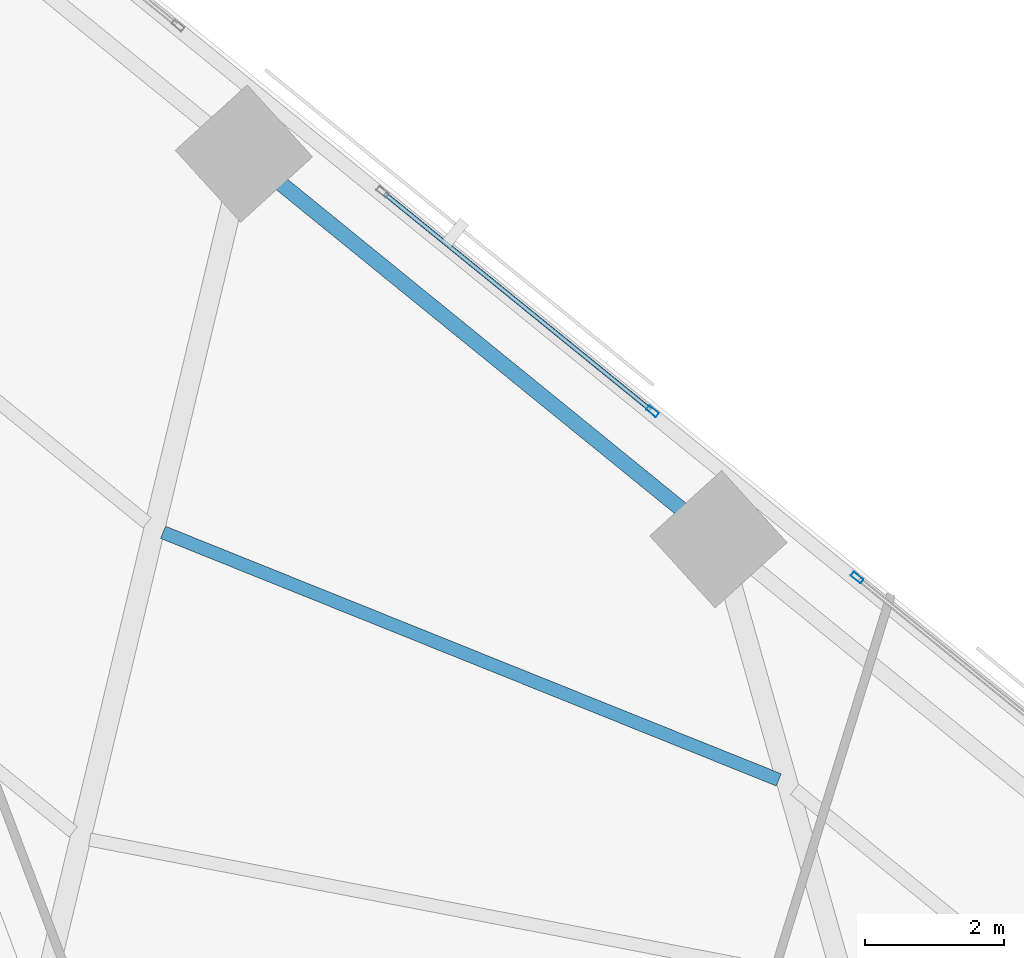
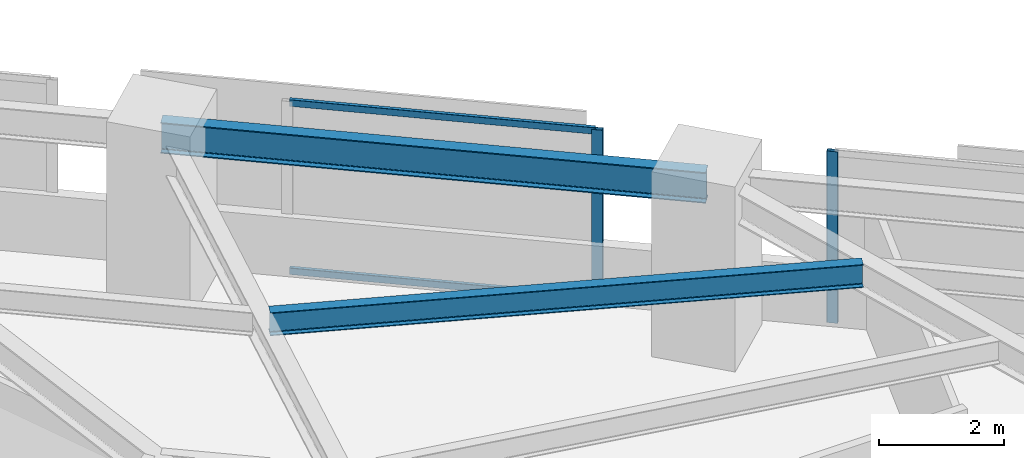
# One storey, part 10 of 18: 4 members, 2 beams, 2 elements without a shape of their own.
"""IFC4 building model written with IfcOpenShell, lengths in metres."""

import ifcopenshell
import ifcopenshell.guid

model = None  # the IFC model being written
_history = None  # IfcOwnerHistory: only IFC2X3 demands one
_inside = {}  # id of a spatial element -> (the spatial element, [elements in it])
_under = {}  # id of a project, library or spatial element -> (it, [spatial elements below it])
_declared = {}  # id of a project -> (the project, [libraries it declares])
_typed = {}  # id of a type object -> (the type object, [elements of that type])
_made_of = {}  # id of a material, layer set ... -> (it, [elements and type objects made of it])


def new_model(schema):
    """Start an empty IFC model of exactly this schema.

    Asked for "IFC4X3", IfcOpenShell would pick the latest addendum, in which some entities
    have other attributes; the version numbers below select the first issue.
    IFC2X3 requires an IfcOwnerHistory on every rooted entity: one is made here for all.
    """
    global model, _history
    if schema == "IFC4X3":
        model = ifcopenshell.file(schema_version=(4, 3, 0, 0))
    else:
        model = ifcopenshell.file(schema=schema)
    _inside.clear()
    _under.clear()
    _declared.clear()
    _typed.clear()
    _made_of.clear()
    _history = None
    if model.schema == "IFC2X3":
        org = make("IfcOrganization", Name="unknown")
        user = make(
            "IfcPersonAndOrganization",
            ThePerson=make("IfcPerson", FamilyName="unknown"),
            TheOrganization=org,
        )
        app = make(
            "IfcApplication",
            ApplicationDeveloper=org,
            Version="unknown",
            ApplicationFullName="unknown",
            ApplicationIdentifier="unknown",
        )
        _history = make(
            "IfcOwnerHistory",
            OwningUser=user,
            OwningApplication=app,
            ChangeAction="ADDED",
            CreationDate=0,
        )
    return model


def make(cls, **values):
    """One entity of the class cls with the attributes given. An attribute that is None is left unset."""
    return model.create_entity(
        cls, **{name: value for name, value in values.items() if value is not None}
    )


def rooted(cls, **values):
    """An entity with a GlobalId (a new one), such as an element, a storey or a relation."""
    return make(cls, GlobalId=ifcopenshell.guid.new(), OwnerHistory=_history, **values)


def si_unit(unit_type, name, prefix=None):
    """IfcSIUnit, for example si_unit("LENGTHUNIT", "METRE", prefix="MILLI")."""
    return make("IfcSIUnit", UnitType=unit_type, Prefix=prefix, Name=name)


def assignment(units):
    """IfcUnitAssignment: the units of a project."""
    return None if units is None else make("IfcUnitAssignment", Units=units)


def point(xyz):
    """IfcCartesianPoint."""
    return None if xyz is None else make("IfcCartesianPoint", Coordinates=xyz)


def direction(xyz):
    """IfcDirection."""
    return None if xyz is None else make("IfcDirection", DirectionRatios=xyz)


def frame(location, z_axis=None, x_axis=None):
    """IfcAxis2Placement3D, a coordinate frame: its origin and axes. An axis left out is left unset."""
    return make(
        "IfcAxis2Placement3D",
        Location=point(location),
        Axis=direction(z_axis),
        RefDirection=direction(x_axis),
    )


def frame_2d(location, x_axis=None):
    """IfcAxis2Placement2D, a coordinate frame in the plane: its origin and x axis."""
    return make(
        "IfcAxis2Placement2D", Location=point(location), RefDirection=direction(x_axis)
    )


def origin():
    """The frame at (0, 0, 0) with its axes left unset."""
    return frame((0.0, 0.0, 0.0))


def origin_2d():
    """The frame at (0, 0) in the plane with its x axis left unset."""
    return frame_2d((0.0, 0.0))


def place(relative_to, where):
    """IfcLocalPlacement: puts the frame where relative to a parent placement (None: the world)."""
    return make(
        "IfcLocalPlacement", PlacementRelTo=relative_to, RelativePlacement=where
    )


def context(
    kind, dimensions, precision=None, world=None, true_north=None, identifier=None
):
    """IfcGeometricRepresentationContext, for example the 3D "Model" context."""
    return make(
        "IfcGeometricRepresentationContext",
        ContextIdentifier=identifier,
        ContextType=kind,
        CoordinateSpaceDimension=dimensions,
        Precision=precision,
        WorldCoordinateSystem=world,
        TrueNorth=true_north,
    )


def subcontext(parent, identifier, kind, view, scale=None):
    """IfcGeometricRepresentationSubContext, for example "Body" below "Model"."""
    return make(
        "IfcGeometricRepresentationSubContext",
        ContextIdentifier=identifier,
        ContextType=kind,
        ParentContext=parent,
        TargetScale=scale,
        TargetView=view,
    )


def project(units=None, contexts=None):
    """IfcProject with its units and contexts."""
    return rooted(
        "IfcProject",
        Name="project",
        RepresentationContexts=contexts,
        UnitsInContext=assignment(units),
    )


def spatial(cls, under=None, at=None, **own):
    """A site, building, storey or space (cls), placed at a placement, below another one or the project."""
    s = rooted(cls, ObjectPlacement=at, **own)
    if under is not None:
        _under.setdefault(under.id(), (under, []))[1].append(s)
    return s


def profile(cls, at=None, kind="AREA", **sizes):
    """A parametric profile (cls). Its sizes go by their IFC names, for example OverallWidth=200.0."""
    return make(cls, ProfileType=kind, Position=at, **sizes)


def hollow_rectangle(**sizes):
    """IfcRectangleHollowProfileDef."""
    return profile("IfcRectangleHollowProfileDef", **sizes)


def i_section(**sizes):
    """IfcIShapeProfileDef."""
    return profile("IfcIShapeProfileDef", **sizes)


def extrude(swept, where, along, depth):
    """IfcExtrudedAreaSolid: the profile swept, set in the frame where, extruded along a direction by depth."""
    return make(
        "IfcExtrudedAreaSolid",
        SweptArea=swept,
        Position=where,
        ExtrudedDirection=direction(along),
        Depth=depth,
    )


def shape(context_of_items, identifier, shape_type, items):
    """IfcShapeRepresentation: the items that make up one representation, for example the "Body"."""
    return make(
        "IfcShapeRepresentation",
        ContextOfItems=context_of_items,
        RepresentationIdentifier=identifier,
        RepresentationType=shape_type,
        Items=items,
    )


def material(Name=None, Category=None):
    """IfcMaterial."""
    return make("IfcMaterial", Name=Name, Category=Category)


def material_profile(
    of_material, cross_section, Name=None, Category=None, Priority=None
):
    """IfcMaterialProfile: a cross section and its material."""
    return make(
        "IfcMaterialProfile",
        Name=Name,
        Material=of_material,
        Profile=cross_section,
        Priority=Priority,
        Category=Category,
    )


def profile_set(profiles, Name=None, composite=None):
    """IfcMaterialProfileSet."""
    return make(
        "IfcMaterialProfileSet",
        Name=Name,
        MaterialProfiles=profiles,
        CompositeProfile=composite,
    )


def made_of(thing, what):
    """Note that an element or type object is made of a material, layer set ...; save() writes the relation."""
    if what is not None:
        _made_of.setdefault(what.id(), (what, []))[1].append(thing)
    return thing


def type_object(cls, material=None, **own):
    """A type object (cls), such as IfcWallType, which elements share."""
    return made_of(rooted(cls, **own), material)


def element(
    cls,
    number,
    at=None,
    inside=None,
    cuts=None,
    type_object=None,
    material=None,
    context=None,
    identifier="Body",
    shape_type=None,
    held_by="IfcProductDefinitionShape",
    body=None,
    shapes=None,
    **own,
):
    """One element of the class cls, such as IfcWall. Its Tag is "e" and its number.

    at: its placement. inside: the storey or other place that contains it. cuts: it is an
    opening in that element (IfcRelVoidsElement). A single representation is given by context,
    identifier, shape_type and body (its items); several are given by shapes. held_by: the class
    of the entity that holds the representations. save() writes the other relations.
    """
    e = rooted(cls, Tag="e%d" % number, ObjectPlacement=at, **own)
    if body is not None:
        shapes = [shape(context, identifier, shape_type, body)]
    if shapes is not None:
        e.Representation = make(held_by, Representations=shapes)
    if inside is not None:
        _inside.setdefault(inside.id(), (inside, []))[1].append(e)
    if cuts is not None:
        rooted(
            "IfcRelVoidsElement", RelatingBuildingElement=cuts, RelatedOpeningElement=e
        )
    if type_object is not None:
        _typed.setdefault(type_object.id(), (type_object, []))[1].append(e)
    return made_of(e, material)


def aggregate(whole, parts):
    """IfcRelAggregates: a whole, such as a stair, and the parts it consists of."""
    return rooted("IfcRelAggregates", RelatingObject=whole, RelatedObjects=parts)


def save(model, path):
    """Write the relations noted so far, then the file.

    IfcRelAggregates (storeys below a building ...), IfcRelContainedInSpatialStructure (elements
    in a storey), IfcRelDefinesByType, IfcRelAssociatesMaterial and IfcRelDeclares: one each for
    every whole, place, type object, material and project.
    """
    for whole, parts in _under.values():
        aggregate(whole, parts)
    for where, things in _inside.values():
        rooted(
            "IfcRelContainedInSpatialStructure",
            RelatedElements=things,
            RelatingStructure=where,
        )
    for kind, things in _typed.values():
        rooted("IfcRelDefinesByType", RelatedObjects=things, RelatingType=kind)
    for what, things in _made_of.values():
        rooted("IfcRelAssociatesMaterial", RelatedObjects=things, RelatingMaterial=what)
    for by, libraries in _declared.values():
        rooted("IfcRelDeclares", RelatingContext=by, RelatedDefinitions=libraries)
    model.write(path)


model = new_model("IFC4")

# Units and contexts
model_context = context("Model", 3, precision=1e-05, world=origin(), true_north=direction((0.0, 1.0)))
body_context = subcontext(model_context, "Body", "Model", "MODEL_VIEW")
ifc_project = project(units=[si_unit("LENGTHUNIT", "METRE"), si_unit("AREAUNIT", "SQUARE_METRE"), si_unit("VOLUMEUNIT", "CUBIC_METRE"), si_unit("PLANEANGLEUNIT", "RADIAN"), si_unit("MASSUNIT", "GRAM", prefix="KILO")], contexts=[model_context])

# Site, building, storey
site_placement = place(None, origin())
site = spatial("IfcSite", under=ifc_project, at=site_placement, CompositionType="ELEMENT")
building_placement = place(site_placement, origin())
building = spatial("IfcBuilding", under=site, at=building_placement, Name="Narakoshi Arena Tower", CompositionType="ELEMENT")
storey_placement = place(building_placement, frame((0.0, 0.0, 44.699951171875)))
storey = spatial("IfcBuildingStorey", under=building, at=storey_placement, Name="L11", CompositionType="ELEMENT", Elevation=44.699951171875)

# Beams
ifc_material_1 = material(Name="Structural steel S355J2", Category="steel")
ifc_material_profile_1 = material_profile(ifc_material_1, i_section(OverallWidth=0.219970703125, OverallDepth=0.60009765625, WebThickness=0.011962890625, FlangeThickness=0.01904296875, FilletRadius=0.02392578125, at=origin_2d()), Name="IPE600")
ifc_profile_set_1 = profile_set([ifc_material_profile_1], Name="Structural steel S355J2")
beam_type_1 = type_object("IfcBeamType", Name="BM-EDGE-600", PredefinedType="BEAM", material=ifc_profile_set_1)
beam_1_placement = place(storey_placement, frame((82.626953125, 66.838623046875, 3.0400390625), z_axis=(-0.775997794165, 0.630735620883, 0.0), x_axis=(-0.630735620883, -0.775997794165, 0.0)))
element("IfcBeam", 1, at=beam_1_placement, inside=storey, type_object=beam_type_1, Name="L11 Perimeter Edge Girder 10", PredefinedType="BEAM", context=body_context, shape_type="SweptSolid", body=[
    extrude(i_section(OverallWidth=0.219970703125, OverallDepth=0.60009765625, WebThickness=0.011962890625, FlangeThickness=0.01904296875, FilletRadius=0.02392578125, at=origin_2d()), origin(), (0.0, 0.0, 1.0), 8.80517578125),
])
ifc_material_profile_2 = material_profile(ifc_material_1, i_section(OverallWidth=0.18994140625, OverallDepth=0.449951171875, WebThickness=0.009521484375, FlangeThickness=0.0146484375, FilletRadius=0.02099609375, at=origin_2d()), Name="IPE450")
ifc_profile_set_2 = profile_set([ifc_material_profile_2], Name="Structural steel S355J2")
beam_type_2 = type_object("IfcBeamType", Name="BM-SEC-450", PredefinedType="JOIST", material=ifc_profile_set_2)
beam_2_placement = place(storey_placement, frame((83.49560546875, 63.373779296875, 3.114990234375), z_axis=(-0.927809182241, 0.37305511838, 0.0), x_axis=(-0.37305511838, -0.927809182241, 0.0)))
element("IfcBeam", 2, at=beam_2_placement, inside=storey, type_object=beam_type_2, Name="L11 Composite Secondary Floor Joist 14", PredefinedType="JOIST", context=body_context, shape_type="SweptSolid", body=[
    extrude(i_section(OverallWidth=0.18994140625, OverallDepth=0.449951171875, WebThickness=0.009521484375, FlangeThickness=0.0146484375, FilletRadius=0.02099609375, at=origin_2d()), origin(), (0.0, 0.0, 1.0), 9.55615234375),
])

# Curtain wall, member
ifc_material_2 = material(Name="Anodised bronze aluminium 6063-T6", Category="aluminium")
curtain_wall_type = type_object("IfcCurtainWallType", Name="CW-HYP-LOW", PredefinedType="NOTDEFINED", material=ifc_material_2)
curtain_wall_1_placement = place(storey_placement, origin())
curtain_wall_1 = element("IfcCurtainWall", 3, at=curtain_wall_1_placement, inside=storey, type_object=curtain_wall_type, Name="L11 Folded Hypotenuse Curtain Wall 2-2", PredefinedType="NOTDEFINED")
ifc_material_profile_3 = material_profile(ifc_material_2, hollow_rectangle(XDim=0.074951171875, YDim=0.179931640625, WallThickness=0.00390625, OuterFilletRadius=0.0048828125, at=origin_2d()), Name="MUL180x75x4")
ifc_profile_set_3 = profile_set([ifc_material_profile_3], Name="Anodised bronze aluminium 6063-T6")
member_type_1 = type_object("IfcMemberType", Name="MEM-MUL-180", PredefinedType="MULLION", material=ifc_profile_set_3)
member_1_placement = place(storey_placement, frame((84.623779296875, 66.285400390625, 0.0), z_axis=(0.0, 0.0, 1.0), x_axis=(-0.630734833051, -0.775998434519, 0.0)))
member_1 = element("IfcMember", 4, at=member_1_placement, type_object=member_type_1, Name="CW-01 mullion 2", PredefinedType="MULLION", context=body_context, shape_type="SweptSolid", body=[
    extrude(hollow_rectangle(XDim=0.074951171875, YDim=0.179931640625, WallThickness=0.00390625, OuterFilletRadius=0.0048828125, at=origin_2d()), origin(), (0.0, 0.0, 1.0), 3.340087890625),
])
aggregate(curtain_wall_1, [member_1])

# Curtain wall, members
curtain_wall_2_placement = place(storey_placement, origin())
curtain_wall_2 = element("IfcCurtainWall", 5, at=curtain_wall_2_placement, inside=storey, type_object=curtain_wall_type, Name="L11 Folded Hypotenuse Curtain Wall 2-3", PredefinedType="NOTDEFINED")
member_2_placement = place(storey_placement, frame((81.677001953125, 68.6806640625, 0.0), z_axis=(0.0, 0.0, 1.0), x_axis=(-0.630722984816, -0.776008064665, 0.0)))
member_2 = element("IfcMember", 6, at=member_2_placement, type_object=member_type_1, Name="CW-01 mullion 1", PredefinedType="MULLION", context=body_context, shape_type="SweptSolid", body=[
    extrude(hollow_rectangle(XDim=0.074951171875, YDim=0.179931640625, WallThickness=0.00390625, OuterFilletRadius=0.0048828125, at=origin_2d()), origin(), (0.0, 0.0, 1.0), 3.340087890625),
])
ifc_material_profile_4 = material_profile(ifc_material_2, hollow_rectangle(XDim=0.06494140625, YDim=0.1298828125, WallThickness=0.00390625, OuterFilletRadius=0.0048828125, at=origin_2d()), Name="TRN130x65x4")
ifc_profile_set_4 = profile_set([ifc_material_profile_4], Name="Anodised bronze aluminium 6063-T6")
member_type_2 = type_object("IfcMemberType", Name="MEM-TRN-130", PredefinedType="USERDEFINED", material=ifc_profile_set_4)
member_3_placement = place(storey_placement, frame((81.647705078125, 68.704345703125, 0.032470703125), z_axis=(-0.77600648718, 0.630724925665, 0.0), x_axis=(-0.630724925665, -0.77600648718, 0.0)))
member_3 = element("IfcMember", 7, at=member_3_placement, type_object=member_type_2, Name="CW-01 transom 1.1", ObjectType="TRANSOM", PredefinedType="USERDEFINED", context=body_context, shape_type="SweptSolid", body=[
    extrude(hollow_rectangle(XDim=0.06494140625, YDim=0.1298828125, WallThickness=0.00390625, OuterFilletRadius=0.0048828125, at=origin_2d()), origin(), (0.0, 0.0, 1.0), 4.93212890625),
])
member_4_placement = place(storey_placement, frame((81.647705078125, 68.704345703125, 3.3076171875), z_axis=(-0.77600648718, 0.630724925665, 0.0), x_axis=(-0.630724925665, -0.77600648718, 0.0)))
member_4 = element("IfcMember", 8, at=member_4_placement, type_object=member_type_2, Name="CW-01 transom 1.2", ObjectType="TRANSOM", PredefinedType="USERDEFINED", context=body_context, shape_type="SweptSolid", body=[
    extrude(hollow_rectangle(XDim=0.06494140625, YDim=0.1298828125, WallThickness=0.00390625, OuterFilletRadius=0.0048828125, at=origin_2d()), origin(), (0.0, 0.0, 1.0), 4.93212890625),
])
aggregate(curtain_wall_2, [member_2, member_3, member_4])

save(model, "model.ifc")
